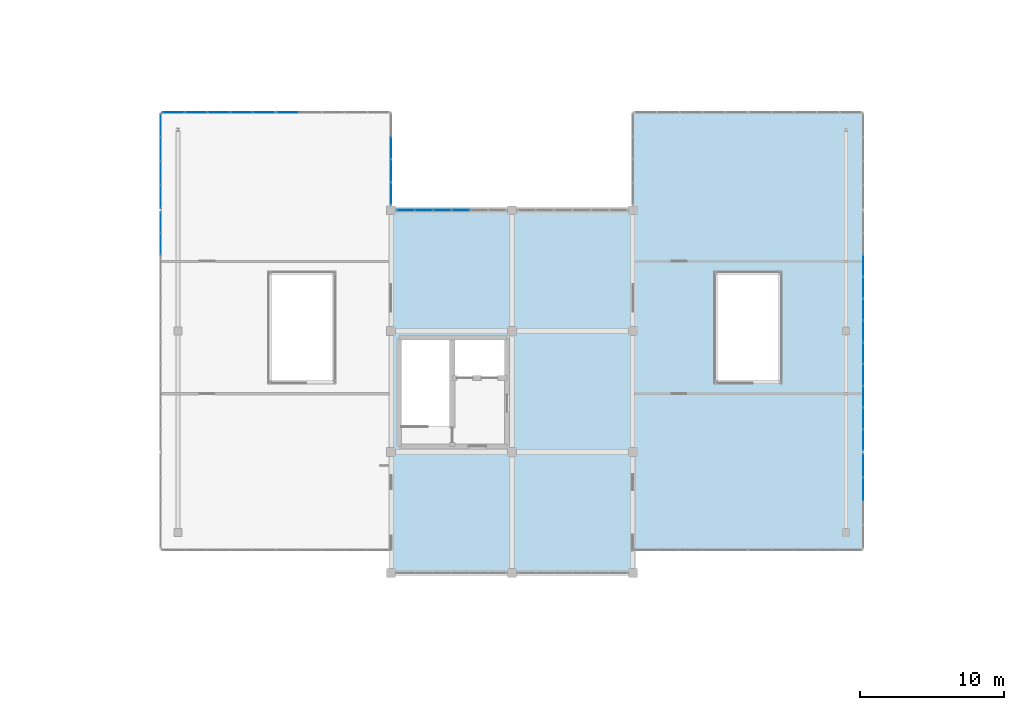
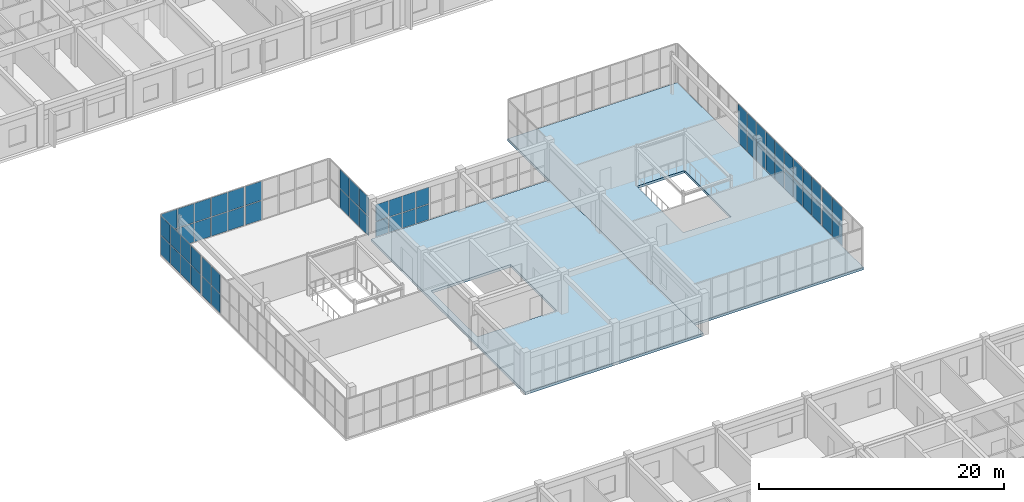
# One storey, part 54 of 81: 60 plates, 2 slabs, 8 elements without a shape of their own.
"""IFC4 building model written with IfcOpenShell, lengths in metres."""

from ifc_helpers import new_model, si_unit, direction, frame, origin, origin_2d, place, context, subcontext, project, spatial, polyline, rectangle, outline, extrude, material, layer, layer_set, type_object, element, aggregate, save


model = new_model("IFC4")

# Units and contexts
model_context = context("Model", 3, precision=1e-05, world=origin(), true_north=direction((0.0, 1.0)))
body_context = subcontext(model_context, "Body", "Model", "MODEL_VIEW")
ifc_project = project(units=[si_unit("LENGTHUNIT", "METRE"), si_unit("AREAUNIT", "SQUARE_METRE"), si_unit("VOLUMEUNIT", "CUBIC_METRE"), si_unit("PLANEANGLEUNIT", "RADIAN"), si_unit("MASSUNIT", "GRAM", prefix="KILO")], contexts=[model_context])

# Site, building, storey
site_placement = place(None, origin())
site = spatial("IfcSite", under=ifc_project, at=site_placement, CompositionType="ELEMENT")
building_placement = place(site_placement, origin())
building = spatial("IfcBuilding", under=site, at=building_placement, Name="Trelvath General Hospital", CompositionType="ELEMENT")
storey_placement = place(building_placement, frame((0.0, 0.0, 24.60009765625)))
storey = spatial("IfcBuildingStorey", under=building, at=storey_placement, Name="L06", CompositionType="ELEMENT", Elevation=24.60009765625)

# Curtain wall, plates
ifc_material_1 = material(Name="Anodised aluminium and low-E glass", Category="aluminium")
ifc_layer_1 = layer(ifc_material_1, 0.139892578125)
ifc_layer_set_1 = layer_set([ifc_layer_1], Name="Anodised aluminium and low-E glass")
curtain_wall_type_1 = type_object("IfcCurtainWallType", Name="CW CrystalCube 790 396 14", PredefinedType="USERDEFINED", material=ifc_layer_set_1)
curtain_wall_1_placement = place(storey_placement, origin())
curtain_wall_1 = element("IfcCurtainWall", 1, at=curtain_wall_1_placement, inside=storey, type_object=curtain_wall_type_1, Name="Crystal Cube Curtain Wall CUBE-W-T2 N1 L06", ObjectType="Unitised Glazed Curtain Wall", PredefinedType="USERDEFINED")
ifc_material_2 = material(Name="Low-E laminated glass", Category="glass")
ifc_layer_2 = layer(ifc_material_2, 0.028076171875)
ifc_layer_set_2 = layer_set([ifc_layer_2], Name="Low-E laminated glass")
plate_type_1 = type_object("IfcPlateType", Name="CurtainPanel Glass28", PredefinedType="CURTAIN_PANEL", material=ifc_layer_set_2)
plate_1_placement = place(storey_placement, frame((60.485107421875, 74.0, 0.06005859375), z_axis=(0.0, 0.0, 1.0), x_axis=(1.0, 0.0, 0.0)))
plate_1 = element("IfcPlate", 2, at=plate_1_placement, type_object=plate_type_1, Name="CW-326 panel 1.1", PredefinedType="CURTAIN_PANEL", context=body_context, shape_type="SweptSolid", body=[
    extrude(rectangle(XDim=1.489990234375, YDim=0.028076171875, at=origin_2d()), origin(), (0.0, 0.0, 1.0), 1.889892578125),
])
plate_2_placement = place(storey_placement, frame((60.485107421875, 74.0, 2.009765625), z_axis=(0.0, 0.0, 1.0), x_axis=(1.0, 0.0, 0.0)))
plate_2 = element("IfcPlate", 3, at=plate_2_placement, type_object=plate_type_1, Name="CW-326 panel 1.2", PredefinedType="CURTAIN_PANEL", context=body_context, shape_type="SweptSolid", body=[
    extrude(rectangle(XDim=1.489990234375, YDim=0.028076171875, at=origin_2d()), origin(), (0.0, 0.0, 1.0), 1.889892578125),
])
plate_3_placement = place(storey_placement, frame((62.050048828125, 74.0, 0.06005859375), z_axis=(0.0, 0.0, 1.0), x_axis=(1.0, 0.0, 0.0)))
plate_3 = element("IfcPlate", 4, at=plate_3_placement, type_object=plate_type_1, Name="CW-326 panel 2.1", PredefinedType="CURTAIN_PANEL", context=body_context, shape_type="SweptSolid", body=[
    extrude(rectangle(XDim=1.52001953125, YDim=0.028076171875, at=origin_2d()), origin(), (0.0, 0.0, 1.0), 1.889892578125),
])
plate_4_placement = place(storey_placement, frame((62.050048828125, 74.0, 2.009765625), z_axis=(0.0, 0.0, 1.0), x_axis=(1.0, 0.0, 0.0)))
plate_4 = element("IfcPlate", 5, at=plate_4_placement, type_object=plate_type_1, Name="CW-326 panel 2.2", PredefinedType="CURTAIN_PANEL", context=body_context, shape_type="SweptSolid", body=[
    extrude(rectangle(XDim=1.52001953125, YDim=0.028076171875, at=origin_2d()), origin(), (0.0, 0.0, 1.0), 1.889892578125),
])
plate_5_placement = place(storey_placement, frame((63.6298828125, 74.0, 0.06005859375), z_axis=(0.0, 0.0, 1.0), x_axis=(1.0, 0.0, 0.0)))
plate_5 = element("IfcPlate", 6, at=plate_5_placement, type_object=plate_type_1, Name="CW-326 panel 3.1", PredefinedType="CURTAIN_PANEL", context=body_context, shape_type="SweptSolid", body=[
    extrude(rectangle(XDim=1.52001953125, YDim=0.028076171875, at=origin_2d()), origin(), (0.0, 0.0, 1.0), 1.889892578125),
])
plate_6_placement = place(storey_placement, frame((63.6298828125, 74.0, 2.009765625), z_axis=(0.0, 0.0, 1.0), x_axis=(1.0, 0.0, 0.0)))
plate_6 = element("IfcPlate", 7, at=plate_6_placement, type_object=plate_type_1, Name="CW-326 panel 3.2", PredefinedType="CURTAIN_PANEL", context=body_context, shape_type="SweptSolid", body=[
    extrude(rectangle(XDim=1.52001953125, YDim=0.028076171875, at=origin_2d()), origin(), (0.0, 0.0, 1.0), 1.889892578125),
])
plate_7_placement = place(storey_placement, frame((65.2099609375, 74.0, 0.06005859375), z_axis=(0.0, 0.0, 1.0), x_axis=(1.0, 0.0, 0.0)))
plate_7 = element("IfcPlate", 8, at=plate_7_placement, type_object=plate_type_1, Name="CW-326 panel 4.1", PredefinedType="CURTAIN_PANEL", context=body_context, shape_type="SweptSolid", body=[
    extrude(rectangle(XDim=1.52001953125, YDim=0.028076171875, at=origin_2d()), origin(), (0.0, 0.0, 1.0), 1.889892578125),
])
plate_8_placement = place(storey_placement, frame((65.2099609375, 74.0, 2.009765625), z_axis=(0.0, 0.0, 1.0), x_axis=(1.0, 0.0, 0.0)))
plate_8 = element("IfcPlate", 9, at=plate_8_placement, type_object=plate_type_1, Name="CW-326 panel 4.2", PredefinedType="CURTAIN_PANEL", context=body_context, shape_type="SweptSolid", body=[
    extrude(rectangle(XDim=1.52001953125, YDim=0.028076171875, at=origin_2d()), origin(), (0.0, 0.0, 1.0), 1.889892578125),
])
plate_9_placement = place(storey_placement, frame((66.77490234375, 74.0, 0.06005859375), z_axis=(0.0, 0.0, 1.0), x_axis=(1.0, 0.0, 0.0)))
plate_9 = element("IfcPlate", 10, at=plate_9_placement, type_object=plate_type_1, Name="CW-326 panel 5.1", PredefinedType="CURTAIN_PANEL", context=body_context, shape_type="SweptSolid", body=[
    extrude(rectangle(XDim=1.489990234375, YDim=0.028076171875, at=origin_2d()), origin(), (0.0, 0.0, 1.0), 1.889892578125),
])
plate_10_placement = place(storey_placement, frame((66.77490234375, 74.0, 2.009765625), z_axis=(0.0, 0.0, 1.0), x_axis=(1.0, 0.0, 0.0)))
plate_10 = element("IfcPlate", 11, at=plate_10_placement, type_object=plate_type_1, Name="CW-326 panel 5.2", PredefinedType="CURTAIN_PANEL", context=body_context, shape_type="SweptSolid", body=[
    extrude(rectangle(XDim=1.489990234375, YDim=0.028076171875, at=origin_2d()), origin(), (0.0, 0.0, 1.0), 1.889892578125),
])
aggregate(curtain_wall_1, [plate_1, plate_2, plate_3, plate_4, plate_5, plate_6, plate_7, plate_8, plate_9, plate_10])

curtain_wall_2_placement = place(storey_placement, origin())
curtain_wall_2 = element("IfcCurtainWall", 12, at=curtain_wall_2_placement, inside=storey, type_object=curtain_wall_type_1, Name="Crystal Cube Curtain Wall CUBE-W-T2 N2 L06", ObjectType="Unitised Glazed Curtain Wall", PredefinedType="USERDEFINED")
plate_11_placement = place(storey_placement, frame((68.425048828125, 74.0, 0.06005859375), z_axis=(0.0, 0.0, 1.0), x_axis=(1.0, 0.0, 0.0)))
plate_11 = element("IfcPlate", 13, at=plate_11_placement, type_object=plate_type_1, Name="CW-327 panel 1.1", PredefinedType="CURTAIN_PANEL", context=body_context, shape_type="SweptSolid", body=[
    extrude(rectangle(XDim=1.489990234375, YDim=0.028076171875, at=origin_2d()), origin(), (0.0, 0.0, 1.0), 1.889892578125),
])
plate_12_placement = place(storey_placement, frame((68.425048828125, 74.0, 2.009765625), z_axis=(0.0, 0.0, 1.0), x_axis=(1.0, 0.0, 0.0)))
plate_12 = element("IfcPlate", 14, at=plate_12_placement, type_object=plate_type_1, Name="CW-327 panel 1.2", PredefinedType="CURTAIN_PANEL", context=body_context, shape_type="SweptSolid", body=[
    extrude(rectangle(XDim=1.489990234375, YDim=0.028076171875, at=origin_2d()), origin(), (0.0, 0.0, 1.0), 1.889892578125),
])
aggregate(curtain_wall_2, [plate_11, plate_12])

ifc_material_3 = material(Name="Anodised aluminium and low-E glass", Category="aluminium")
ifc_layer_3 = layer(ifc_material_3, 0.139892578125)
ifc_layer_set_3 = layer_set([ifc_layer_3], Name="Anodised aluminium and low-E glass")
curtain_wall_type_2 = type_object("IfcCurtainWallType", Name="CW CrystalCube 1664 396 14", PredefinedType="USERDEFINED", material=ifc_layer_set_3)
curtain_wall_3_placement = place(storey_placement, origin())
curtain_wall_3 = element("IfcCurtainWall", 15, at=curtain_wall_3_placement, inside=storey, type_object=curtain_wall_type_2, Name="Crystal Cube Curtain Wall CUBE-W-T2 W2 L06", ObjectType="Unitised Glazed Curtain Wall", PredefinedType="USERDEFINED")
plate_13_placement = place(storey_placement, frame((59.60009765625, 64.850830078125, 0.06005859375), z_axis=(0.0, 0.0, 1.0), x_axis=(0.0, 1.0, 0.0)))
plate_13 = element("IfcPlate", 16, at=plate_13_placement, type_object=plate_type_1, Name="CW-329 panel 10.1", PredefinedType="CURTAIN_PANEL", context=body_context, shape_type="SweptSolid", body=[
    extrude(rectangle(XDim=1.45263671875, YDim=0.028076171875, at=origin_2d()), origin(), (0.0, 0.0, 1.0), 1.889892578125),
])
plate_14_placement = place(storey_placement, frame((59.60009765625, 64.850830078125, 2.009765625), z_axis=(0.0, 0.0, 1.0), x_axis=(0.0, 1.0, 0.0)))
plate_14 = element("IfcPlate", 17, at=plate_14_placement, type_object=plate_type_1, Name="CW-329 panel 10.2", PredefinedType="CURTAIN_PANEL", context=body_context, shape_type="SweptSolid", body=[
    extrude(rectangle(XDim=1.45263671875, YDim=0.028076171875, at=origin_2d()), origin(), (0.0, 0.0, 1.0), 1.889892578125),
])
plate_15_placement = place(storey_placement, frame((59.60009765625, 66.3486328125, 0.06005859375), z_axis=(0.0, 0.0, 1.0), x_axis=(0.0, 1.0, 0.0)))
plate_15 = element("IfcPlate", 18, at=plate_15_placement, type_object=plate_type_1, Name="CW-329 panel 11.1", PredefinedType="CURTAIN_PANEL", context=body_context, shape_type="SweptSolid", body=[
    extrude(rectangle(XDim=1.422607421875, YDim=0.028076171875, at=origin_2d()), origin(), (0.0, 0.0, 1.0), 1.889892578125),
])
plate_16_placement = place(storey_placement, frame((59.60009765625, 66.3486328125, 2.009765625), z_axis=(0.0, 0.0, 1.0), x_axis=(0.0, 1.0, 0.0)))
plate_16 = element("IfcPlate", 19, at=plate_16_placement, type_object=plate_type_1, Name="CW-329 panel 11.2", PredefinedType="CURTAIN_PANEL", context=body_context, shape_type="SweptSolid", body=[
    extrude(rectangle(XDim=1.422607421875, YDim=0.028076171875, at=origin_2d()), origin(), (0.0, 0.0, 1.0), 1.889892578125),
])
aggregate(curtain_wall_3, [plate_13, plate_14, plate_15, plate_16])

ifc_material_4 = material(Name="Anodised aluminium and low-E glass", Category="aluminium")
ifc_layer_4 = layer(ifc_material_4, 0.139892578125)
ifc_layer_set_4 = layer_set([ifc_layer_4], Name="Anodised aluminium and low-E glass")
curtain_wall_type_3 = type_object("IfcCurtainWallType", Name="CW CrystalCube 664 396 14", PredefinedType="USERDEFINED", material=ifc_layer_set_4)
curtain_wall_4_placement = place(storey_placement, origin())
curtain_wall_4 = element("IfcCurtainWall", 20, at=curtain_wall_4_placement, inside=storey, type_object=curtain_wall_type_3, Name="Crystal Cube Curtain Wall CUBE-W-T2 W3 L06", ObjectType="Unitised Glazed Curtain Wall", PredefinedType="USERDEFINED")
plate_17_placement = place(storey_placement, frame((59.60009765625, 68.125, 0.06005859375), z_axis=(0.0, 0.0, 1.0), x_axis=(0.0, 1.0, 0.0)))
plate_17 = element("IfcPlate", 21, at=plate_17_placement, type_object=plate_type_1, Name="CW-330 panel 1.1", PredefinedType="CURTAIN_PANEL", context=body_context, shape_type="SweptSolid", body=[
    extrude(rectangle(XDim=1.570068359375, YDim=0.028076171875, at=origin_2d()), origin(), (0.0, 0.0, 1.0), 1.889892578125),
])
plate_18_placement = place(storey_placement, frame((59.60009765625, 68.125, 2.009765625), z_axis=(0.0, 0.0, 1.0), x_axis=(0.0, 1.0, 0.0)))
plate_18 = element("IfcPlate", 22, at=plate_18_placement, type_object=plate_type_1, Name="CW-330 panel 1.2", PredefinedType="CURTAIN_PANEL", context=body_context, shape_type="SweptSolid", body=[
    extrude(rectangle(XDim=1.570068359375, YDim=0.028076171875, at=origin_2d()), origin(), (0.0, 0.0, 1.0), 1.889892578125),
])
plate_19_placement = place(storey_placement, frame((59.60009765625, 69.77001953125, 0.06005859375), z_axis=(0.0, 0.0, 1.0), x_axis=(0.0, 1.0, 0.0)))
plate_19 = element("IfcPlate", 23, at=plate_19_placement, type_object=plate_type_1, Name="CW-330 panel 2.1", PredefinedType="CURTAIN_PANEL", context=body_context, shape_type="SweptSolid", body=[
    extrude(rectangle(XDim=1.60009765625, YDim=0.028076171875, at=origin_2d()), origin(), (0.0, 0.0, 1.0), 1.889892578125),
])
plate_20_placement = place(storey_placement, frame((59.60009765625, 69.77001953125, 2.009765625), z_axis=(0.0, 0.0, 1.0), x_axis=(0.0, 1.0, 0.0)))
plate_20 = element("IfcPlate", 24, at=plate_20_placement, type_object=plate_type_1, Name="CW-330 panel 2.2", PredefinedType="CURTAIN_PANEL", context=body_context, shape_type="SweptSolid", body=[
    extrude(rectangle(XDim=1.60009765625, YDim=0.028076171875, at=origin_2d()), origin(), (0.0, 0.0, 1.0), 1.889892578125),
])
plate_21_placement = place(storey_placement, frame((59.60009765625, 71.429931640625, 0.06005859375), z_axis=(0.0, 0.0, 1.0), x_axis=(0.0, 1.0, 0.0)))
plate_21 = element("IfcPlate", 25, at=plate_21_placement, type_object=plate_type_1, Name="CW-330 panel 3.1", PredefinedType="CURTAIN_PANEL", context=body_context, shape_type="SweptSolid", body=[
    extrude(rectangle(XDim=1.60009765625, YDim=0.028076171875, at=origin_2d()), origin(), (0.0, 0.0, 1.0), 1.889892578125),
])
plate_22_placement = place(storey_placement, frame((59.60009765625, 71.429931640625, 2.009765625), z_axis=(0.0, 0.0, 1.0), x_axis=(0.0, 1.0, 0.0)))
plate_22 = element("IfcPlate", 26, at=plate_22_placement, type_object=plate_type_1, Name="CW-330 panel 3.2", PredefinedType="CURTAIN_PANEL", context=body_context, shape_type="SweptSolid", body=[
    extrude(rectangle(XDim=1.60009765625, YDim=0.028076171875, at=origin_2d()), origin(), (0.0, 0.0, 1.0), 1.889892578125),
])
plate_23_placement = place(storey_placement, frame((59.60009765625, 73.074951171875, 0.06005859375), z_axis=(0.0, 0.0, 1.0), x_axis=(0.0, 1.0, 0.0)))
plate_23 = element("IfcPlate", 27, at=plate_23_placement, type_object=plate_type_1, Name="CW-330 panel 4.1", PredefinedType="CURTAIN_PANEL", context=body_context, shape_type="SweptSolid", body=[
    extrude(rectangle(XDim=1.570068359375, YDim=0.028076171875, at=origin_2d()), origin(), (0.0, 0.0, 1.0), 1.889892578125),
])
plate_24_placement = place(storey_placement, frame((59.60009765625, 73.074951171875, 2.009765625), z_axis=(0.0, 0.0, 1.0), x_axis=(0.0, 1.0, 0.0)))
plate_24 = element("IfcPlate", 28, at=plate_24_placement, type_object=plate_type_1, Name="CW-330 panel 4.2", PredefinedType="CURTAIN_PANEL", context=body_context, shape_type="SweptSolid", body=[
    extrude(rectangle(XDim=1.570068359375, YDim=0.028076171875, at=origin_2d()), origin(), (0.0, 0.0, 1.0), 1.889892578125),
])
aggregate(curtain_wall_4, [plate_17, plate_18, plate_19, plate_20, plate_21, plate_22, plate_23, plate_24])

ifc_material_5 = material(Name="Anodised aluminium and low-E glass", Category="aluminium")
ifc_layer_5 = layer(ifc_material_5, 0.139892578125)
ifc_layer_set_5 = layer_set([ifc_layer_5], Name="Anodised aluminium and low-E glass")
curtain_wall_type_4 = type_object("IfcCurtainWallType", Name="CW CrystalCube 638 396 14", PredefinedType="USERDEFINED", material=ifc_layer_set_5)
curtain_wall_5_placement = place(storey_placement, origin())
curtain_wall_5 = element("IfcCurtainWall", 29, at=curtain_wall_5_placement, inside=storey, type_object=curtain_wall_type_4, Name="Crystal Cube Curtain Wall CUBE-W-T2 E3 L06", ObjectType="Unitised Glazed Curtain Wall", PredefinedType="USERDEFINED")
plate_25_placement = place(storey_placement, frame((75.60009765625, 71.527587890625, 0.06005859375), z_axis=(0.0, 0.0, 1.0), x_axis=(0.0, -1.0, 0.0)))
plate_25 = element("IfcPlate", 30, at=plate_25_placement, type_object=plate_type_1, Name="CW-331 panel 2.1", PredefinedType="CURTAIN_PANEL", context=body_context, shape_type="SweptSolid", body=[
    extrude(rectangle(XDim=1.534912109375, YDim=0.028076171875, at=origin_2d()), origin(), (0.0, 0.0, 1.0), 1.889892578125),
])
plate_26_placement = place(storey_placement, frame((75.60009765625, 71.527587890625, 2.009765625), z_axis=(0.0, 0.0, 1.0), x_axis=(0.0, -1.0, 0.0)))
plate_26 = element("IfcPlate", 31, at=plate_26_placement, type_object=plate_type_1, Name="CW-331 panel 2.2", PredefinedType="CURTAIN_PANEL", context=body_context, shape_type="SweptSolid", body=[
    extrude(rectangle(XDim=1.534912109375, YDim=0.028076171875, at=origin_2d()), origin(), (0.0, 0.0, 1.0), 1.889892578125),
])
plate_27_placement = place(storey_placement, frame((75.60009765625, 69.9326171875, 0.06005859375), z_axis=(0.0, 0.0, 1.0), x_axis=(0.0, -1.0, 0.0)))
plate_27 = element("IfcPlate", 32, at=plate_27_placement, type_object=plate_type_1, Name="CW-331 panel 3.1", PredefinedType="CURTAIN_PANEL", context=body_context, shape_type="SweptSolid", body=[
    extrude(rectangle(XDim=1.534912109375, YDim=0.028076171875, at=origin_2d()), origin(), (0.0, 0.0, 1.0), 1.889892578125),
])
plate_28_placement = place(storey_placement, frame((75.60009765625, 69.9326171875, 2.009765625), z_axis=(0.0, 0.0, 1.0), x_axis=(0.0, -1.0, 0.0)))
plate_28 = element("IfcPlate", 33, at=plate_28_placement, type_object=plate_type_1, Name="CW-331 panel 3.2", PredefinedType="CURTAIN_PANEL", context=body_context, shape_type="SweptSolid", body=[
    extrude(rectangle(XDim=1.534912109375, YDim=0.028076171875, at=origin_2d()), origin(), (0.0, 0.0, 1.0), 1.889892578125),
])
plate_29_placement = place(storey_placement, frame((75.60009765625, 68.3525390625, 0.06005859375), z_axis=(0.0, 0.0, 1.0), x_axis=(0.0, -1.0, 0.0)))
plate_29 = element("IfcPlate", 34, at=plate_29_placement, type_object=plate_type_1, Name="CW-331 panel 4.1", PredefinedType="CURTAIN_PANEL", context=body_context, shape_type="SweptSolid", body=[
    extrude(rectangle(XDim=1.5048828125, YDim=0.028076171875, at=origin_2d()), origin(), (0.0, 0.0, 1.0), 1.889892578125),
])
plate_30_placement = place(storey_placement, frame((75.60009765625, 68.3525390625, 2.009765625), z_axis=(0.0, 0.0, 1.0), x_axis=(0.0, -1.0, 0.0)))
plate_30 = element("IfcPlate", 35, at=plate_30_placement, type_object=plate_type_1, Name="CW-331 panel 4.2", PredefinedType="CURTAIN_PANEL", context=body_context, shape_type="SweptSolid", body=[
    extrude(rectangle(XDim=1.5048828125, YDim=0.028076171875, at=origin_2d()), origin(), (0.0, 0.0, 1.0), 1.889892578125),
])
aggregate(curtain_wall_5, [plate_25, plate_26, plate_27, plate_28, plate_29, plate_30])

curtain_wall_6_placement = place(storey_placement, origin())
curtain_wall_6 = element("IfcCurtainWall", 36, at=curtain_wall_6_placement, inside=storey, type_object=curtain_wall_type_3, Name="Crystal Cube Curtain Wall CUBE-E-T2 E1 L06", ObjectType="Unitised Glazed Curtain Wall", PredefinedType="USERDEFINED")
plate_31_placement = place(storey_placement, frame((108.39990234375, 49.47509765625, 0.06005859375), z_axis=(0.0, 0.0, 1.0), x_axis=(0.0, -1.0, 0.0)))
plate_31 = element("IfcPlate", 37, at=plate_31_placement, type_object=plate_type_1, Name="CW-336 panel 1.1", PredefinedType="CURTAIN_PANEL", context=body_context, shape_type="SweptSolid", body=[
    extrude(rectangle(XDim=1.570068359375, YDim=0.028076171875, at=origin_2d()), origin(), (0.0, 0.0, 1.0), 1.889892578125),
])
plate_32_placement = place(storey_placement, frame((108.39990234375, 49.47509765625, 2.009765625), z_axis=(0.0, 0.0, 1.0), x_axis=(0.0, -1.0, 0.0)))
plate_32 = element("IfcPlate", 38, at=plate_32_placement, type_object=plate_type_1, Name="CW-336 panel 1.2", PredefinedType="CURTAIN_PANEL", context=body_context, shape_type="SweptSolid", body=[
    extrude(rectangle(XDim=1.570068359375, YDim=0.028076171875, at=origin_2d()), origin(), (0.0, 0.0, 1.0), 1.889892578125),
])
plate_33_placement = place(storey_placement, frame((108.39990234375, 47.830078125, 0.06005859375), z_axis=(0.0, 0.0, 1.0), x_axis=(0.0, -1.0, 0.0)))
plate_33 = element("IfcPlate", 39, at=plate_33_placement, type_object=plate_type_1, Name="CW-336 panel 2.1", PredefinedType="CURTAIN_PANEL", context=body_context, shape_type="SweptSolid", body=[
    extrude(rectangle(XDim=1.60009765625, YDim=0.028076171875, at=origin_2d()), origin(), (0.0, 0.0, 1.0), 1.889892578125),
])
plate_34_placement = place(storey_placement, frame((108.39990234375, 47.830078125, 2.009765625), z_axis=(0.0, 0.0, 1.0), x_axis=(0.0, -1.0, 0.0)))
plate_34 = element("IfcPlate", 40, at=plate_34_placement, type_object=plate_type_1, Name="CW-336 panel 2.2", PredefinedType="CURTAIN_PANEL", context=body_context, shape_type="SweptSolid", body=[
    extrude(rectangle(XDim=1.60009765625, YDim=0.028076171875, at=origin_2d()), origin(), (0.0, 0.0, 1.0), 1.889892578125),
])
aggregate(curtain_wall_6, [plate_31, plate_32, plate_33, plate_34])

curtain_wall_7_placement = place(storey_placement, origin())
curtain_wall_7 = element("IfcCurtainWall", 41, at=curtain_wall_7_placement, inside=storey, type_object=curtain_wall_type_2, Name="Crystal Cube Curtain Wall CUBE-E-T2 E2 L06", ObjectType="Unitised Glazed Curtain Wall", PredefinedType="USERDEFINED")
plate_35_placement = place(storey_placement, frame((108.39990234375, 63.338134765625, 0.06005859375), z_axis=(0.0, 0.0, 1.0), x_axis=(0.0, -1.0, 0.0)))
plate_35 = element("IfcPlate", 42, at=plate_35_placement, type_object=plate_type_1, Name="CW-337 panel 3.1", PredefinedType="CURTAIN_PANEL", context=body_context, shape_type="SweptSolid", body=[
    extrude(rectangle(XDim=1.45263671875, YDim=0.028076171875, at=origin_2d()), origin(), (0.0, 0.0, 1.0), 1.889892578125),
])
plate_36_placement = place(storey_placement, frame((108.39990234375, 63.338134765625, 2.009765625), z_axis=(0.0, 0.0, 1.0), x_axis=(0.0, -1.0, 0.0)))
plate_36 = element("IfcPlate", 43, at=plate_36_placement, type_object=plate_type_1, Name="CW-337 panel 3.2", PredefinedType="CURTAIN_PANEL", context=body_context, shape_type="SweptSolid", body=[
    extrude(rectangle(XDim=1.45263671875, YDim=0.028076171875, at=origin_2d()), origin(), (0.0, 0.0, 1.0), 1.889892578125),
])
plate_37_placement = place(storey_placement, frame((108.39990234375, 61.825439453125, 0.06005859375), z_axis=(0.0, 0.0, 1.0), x_axis=(0.0, -1.0, 0.0)))
plate_37 = element("IfcPlate", 44, at=plate_37_placement, type_object=plate_type_1, Name="CW-337 panel 4.1", PredefinedType="CURTAIN_PANEL", context=body_context, shape_type="SweptSolid", body=[
    extrude(rectangle(XDim=1.45263671875, YDim=0.028076171875, at=origin_2d()), origin(), (0.0, 0.0, 1.0), 1.889892578125),
])
plate_38_placement = place(storey_placement, frame((108.39990234375, 61.825439453125, 2.009765625), z_axis=(0.0, 0.0, 1.0), x_axis=(0.0, -1.0, 0.0)))
plate_38 = element("IfcPlate", 45, at=plate_38_placement, type_object=plate_type_1, Name="CW-337 panel 4.2", PredefinedType="CURTAIN_PANEL", context=body_context, shape_type="SweptSolid", body=[
    extrude(rectangle(XDim=1.45263671875, YDim=0.028076171875, at=origin_2d()), origin(), (0.0, 0.0, 1.0), 1.889892578125),
])
plate_39_placement = place(storey_placement, frame((108.39990234375, 60.312744140625, 0.06005859375), z_axis=(0.0, 0.0, 1.0), x_axis=(0.0, -1.0, 0.0)))
plate_39 = element("IfcPlate", 46, at=plate_39_placement, type_object=plate_type_1, Name="CW-337 panel 5.1", PredefinedType="CURTAIN_PANEL", context=body_context, shape_type="SweptSolid", body=[
    extrude(rectangle(XDim=1.45263671875, YDim=0.028076171875, at=origin_2d()), origin(), (0.0, 0.0, 1.0), 1.889892578125),
])
plate_40_placement = place(storey_placement, frame((108.39990234375, 60.312744140625, 2.009765625), z_axis=(0.0, 0.0, 1.0), x_axis=(0.0, -1.0, 0.0)))
plate_40 = element("IfcPlate", 47, at=plate_40_placement, type_object=plate_type_1, Name="CW-337 panel 5.2", PredefinedType="CURTAIN_PANEL", context=body_context, shape_type="SweptSolid", body=[
    extrude(rectangle(XDim=1.45263671875, YDim=0.028076171875, at=origin_2d()), origin(), (0.0, 0.0, 1.0), 1.889892578125),
])
plate_41_placement = place(storey_placement, frame((108.39990234375, 58.800048828125, 0.06005859375), z_axis=(0.0, 0.0, 1.0), x_axis=(0.0, -1.0, 0.0)))
plate_41 = element("IfcPlate", 48, at=plate_41_placement, type_object=plate_type_1, Name="CW-337 panel 6.1", PredefinedType="CURTAIN_PANEL", context=body_context, shape_type="SweptSolid", body=[
    extrude(rectangle(XDim=1.45263671875, YDim=0.028076171875, at=origin_2d()), origin(), (0.0, 0.0, 1.0), 1.889892578125),
])
plate_42_placement = place(storey_placement, frame((108.39990234375, 58.800048828125, 2.009765625), z_axis=(0.0, 0.0, 1.0), x_axis=(0.0, -1.0, 0.0)))
plate_42 = element("IfcPlate", 49, at=plate_42_placement, type_object=plate_type_1, Name="CW-337 panel 6.2", PredefinedType="CURTAIN_PANEL", context=body_context, shape_type="SweptSolid", body=[
    extrude(rectangle(XDim=1.45263671875, YDim=0.028076171875, at=origin_2d()), origin(), (0.0, 0.0, 1.0), 1.889892578125),
])
plate_43_placement = place(storey_placement, frame((108.39990234375, 57.287353515625, 0.06005859375), z_axis=(0.0, 0.0, 1.0), x_axis=(0.0, -1.0, 0.0)))
plate_43 = element("IfcPlate", 50, at=plate_43_placement, type_object=plate_type_1, Name="CW-337 panel 7.1", PredefinedType="CURTAIN_PANEL", context=body_context, shape_type="SweptSolid", body=[
    extrude(rectangle(XDim=1.45263671875, YDim=0.028076171875, at=origin_2d()), origin(), (0.0, 0.0, 1.0), 1.889892578125),
])
plate_44_placement = place(storey_placement, frame((108.39990234375, 57.287353515625, 2.009765625), z_axis=(0.0, 0.0, 1.0), x_axis=(0.0, -1.0, 0.0)))
plate_44 = element("IfcPlate", 51, at=plate_44_placement, type_object=plate_type_1, Name="CW-337 panel 7.2", PredefinedType="CURTAIN_PANEL", context=body_context, shape_type="SweptSolid", body=[
    extrude(rectangle(XDim=1.45263671875, YDim=0.028076171875, at=origin_2d()), origin(), (0.0, 0.0, 1.0), 1.889892578125),
])
plate_45_placement = place(storey_placement, frame((108.39990234375, 55.774658203125, 0.06005859375), z_axis=(0.0, 0.0, 1.0), x_axis=(0.0, -1.0, 0.0)))
plate_45 = element("IfcPlate", 52, at=plate_45_placement, type_object=plate_type_1, Name="CW-337 panel 8.1", PredefinedType="CURTAIN_PANEL", context=body_context, shape_type="SweptSolid", body=[
    extrude(rectangle(XDim=1.45263671875, YDim=0.028076171875, at=origin_2d()), origin(), (0.0, 0.0, 1.0), 1.889892578125),
])
plate_46_placement = place(storey_placement, frame((108.39990234375, 55.774658203125, 2.009765625), z_axis=(0.0, 0.0, 1.0), x_axis=(0.0, -1.0, 0.0)))
plate_46 = element("IfcPlate", 53, at=plate_46_placement, type_object=plate_type_1, Name="CW-337 panel 8.2", PredefinedType="CURTAIN_PANEL", context=body_context, shape_type="SweptSolid", body=[
    extrude(rectangle(XDim=1.45263671875, YDim=0.028076171875, at=origin_2d()), origin(), (0.0, 0.0, 1.0), 1.889892578125),
])
plate_47_placement = place(storey_placement, frame((108.39990234375, 54.26171875, 0.06005859375), z_axis=(0.0, 0.0, 1.0), x_axis=(0.0, -1.0, 0.0)))
plate_47 = element("IfcPlate", 54, at=plate_47_placement, type_object=plate_type_1, Name="CW-337 panel 9.1", PredefinedType="CURTAIN_PANEL", context=body_context, shape_type="SweptSolid", body=[
    extrude(rectangle(XDim=1.45263671875, YDim=0.028076171875, at=origin_2d()), origin(), (0.0, 0.0, 1.0), 1.889892578125),
])
plate_48_placement = place(storey_placement, frame((108.39990234375, 54.26171875, 2.009765625), z_axis=(0.0, 0.0, 1.0), x_axis=(0.0, -1.0, 0.0)))
plate_48 = element("IfcPlate", 55, at=plate_48_placement, type_object=plate_type_1, Name="CW-337 panel 9.2", PredefinedType="CURTAIN_PANEL", context=body_context, shape_type="SweptSolid", body=[
    extrude(rectangle(XDim=1.45263671875, YDim=0.028076171875, at=origin_2d()), origin(), (0.0, 0.0, 1.0), 1.889892578125),
])
plate_49_placement = place(storey_placement, frame((108.39990234375, 52.7490234375, 0.06005859375), z_axis=(0.0, 0.0, 1.0), x_axis=(0.0, -1.0, 0.0)))
plate_49 = element("IfcPlate", 56, at=plate_49_placement, type_object=plate_type_1, Name="CW-337 panel 10.1", PredefinedType="CURTAIN_PANEL", context=body_context, shape_type="SweptSolid", body=[
    extrude(rectangle(XDim=1.45263671875, YDim=0.028076171875, at=origin_2d()), origin(), (0.0, 0.0, 1.0), 1.889892578125),
])
plate_50_placement = place(storey_placement, frame((108.39990234375, 52.7490234375, 2.009765625), z_axis=(0.0, 0.0, 1.0), x_axis=(0.0, -1.0, 0.0)))
plate_50 = element("IfcPlate", 57, at=plate_50_placement, type_object=plate_type_1, Name="CW-337 panel 10.2", PredefinedType="CURTAIN_PANEL", context=body_context, shape_type="SweptSolid", body=[
    extrude(rectangle(XDim=1.45263671875, YDim=0.028076171875, at=origin_2d()), origin(), (0.0, 0.0, 1.0), 1.889892578125),
])
plate_51_placement = place(storey_placement, frame((108.39990234375, 51.25146484375, 0.06005859375), z_axis=(0.0, 0.0, 1.0), x_axis=(0.0, -1.0, 0.0)))
plate_51 = element("IfcPlate", 58, at=plate_51_placement, type_object=plate_type_1, Name="CW-337 panel 11.1", PredefinedType="CURTAIN_PANEL", context=body_context, shape_type="SweptSolid", body=[
    extrude(rectangle(XDim=1.422607421875, YDim=0.028076171875, at=origin_2d()), origin(), (0.0, 0.0, 1.0), 1.889892578125),
])
plate_52_placement = place(storey_placement, frame((108.39990234375, 51.25146484375, 2.009765625), z_axis=(0.0, 0.0, 1.0), x_axis=(0.0, -1.0, 0.0)))
plate_52 = element("IfcPlate", 59, at=plate_52_placement, type_object=plate_type_1, Name="CW-337 panel 11.2", PredefinedType="CURTAIN_PANEL", context=body_context, shape_type="SweptSolid", body=[
    extrude(rectangle(XDim=1.422607421875, YDim=0.028076171875, at=origin_2d()), origin(), (0.0, 0.0, 1.0), 1.889892578125),
])
aggregate(curtain_wall_7, [plate_35, plate_36, plate_37, plate_38, plate_39, plate_40, plate_41, plate_42, plate_43, plate_44, plate_45, plate_46, plate_47, plate_48, plate_49, plate_50, plate_51, plate_52])

ifc_material_6 = material(Name="Anodised aluminium and low-E glass", Category="aluminium")
ifc_layer_6 = layer(ifc_material_6, 0.14990234375)
ifc_layer_set_6 = layer_set([ifc_layer_6], Name="Anodised aluminium and low-E glass")
curtain_wall_type_5 = type_object("IfcCurtainWallType", Name="CW Facade 767 334 15", PredefinedType="USERDEFINED", material=ifc_layer_set_6)
curtain_wall_8_placement = place(storey_placement, origin())
curtain_wall_8 = element("IfcCurtainWall", 60, at=curtain_wall_8_placement, inside=storey, type_object=curtain_wall_type_5, Name="Facade Curtain Wall CW-079", ObjectType="Unitised Glazed Curtain Wall", PredefinedType="USERDEFINED")
ifc_material_7 = material(Name="Low-E laminated glass", Category="glass")
ifc_layer_7 = layer(ifc_material_7, 0.035888671875)
ifc_layer_set_7 = layer_set([ifc_layer_7], Name="Low-E laminated glass")
plate_type_2 = type_object("IfcPlateType", Name="CurtainPanel Glass36", PredefinedType="CURTAIN_PANEL", material=ifc_layer_set_7)
plate_53_placement = place(storey_placement, frame((76.619140625, 67.199951171875, 0.06005859375), z_axis=(0.0, 0.0, 1.0), x_axis=(1.0, 0.0, 0.0)))
plate_53 = element("IfcPlate", 61, at=plate_53_placement, type_object=plate_type_2, Name="CW-079 panel 1.1", PredefinedType="CURTAIN_PANEL", context=body_context, shape_type="SweptSolid", body=[
    extrude(rectangle(XDim=1.188232421875, YDim=0.035888671875, at=origin_2d()), origin(), (0.0, 0.0, 1.0), 1.512939453125),
])
plate_54_placement = place(storey_placement, frame((76.619140625, 67.199951171875, 1.6328125), z_axis=(0.0, 0.0, 1.0), x_axis=(1.0, 0.0, 0.0)))
plate_54 = element("IfcPlate", 62, at=plate_54_placement, type_object=plate_type_2, Name="CW-079 panel 1.2", PredefinedType="CURTAIN_PANEL", context=body_context, shape_type="SweptSolid", body=[
    extrude(rectangle(XDim=1.188232421875, YDim=0.035888671875, at=origin_2d()), origin(), (0.0, 0.0, 1.0), 1.64697265625),
])
plate_55_placement = place(storey_placement, frame((77.882568359375, 67.199951171875, 0.06005859375), z_axis=(0.0, 0.0, 1.0), x_axis=(1.0, 0.0, 0.0)))
plate_55 = element("IfcPlate", 63, at=plate_55_placement, type_object=plate_type_2, Name="CW-079 panel 2.1", PredefinedType="CURTAIN_PANEL", context=body_context, shape_type="SweptSolid", body=[
    extrude(rectangle(XDim=1.21826171875, YDim=0.035888671875, at=origin_2d()), origin(), (0.0, 0.0, 1.0), 1.512939453125),
])
plate_56_placement = place(storey_placement, frame((77.882568359375, 67.199951171875, 1.6328125), z_axis=(0.0, 0.0, 1.0), x_axis=(1.0, 0.0, 0.0)))
plate_56 = element("IfcPlate", 64, at=plate_56_placement, type_object=plate_type_2, Name="CW-079 panel 2.2", PredefinedType="CURTAIN_PANEL", context=body_context, shape_type="SweptSolid", body=[
    extrude(rectangle(XDim=1.21826171875, YDim=0.035888671875, at=origin_2d()), origin(), (0.0, 0.0, 1.0), 1.64697265625),
])
plate_57_placement = place(storey_placement, frame((79.160888671875, 67.199951171875, 0.06005859375), z_axis=(0.0, 0.0, 1.0), x_axis=(1.0, 0.0, 0.0)))
plate_57 = element("IfcPlate", 65, at=plate_57_placement, type_object=plate_type_2, Name="CW-079 panel 3.1", PredefinedType="CURTAIN_PANEL", context=body_context, shape_type="SweptSolid", body=[
    extrude(rectangle(XDim=1.21826171875, YDim=0.035888671875, at=origin_2d()), origin(), (0.0, 0.0, 1.0), 1.512939453125),
])
plate_58_placement = place(storey_placement, frame((79.160888671875, 67.199951171875, 1.6328125), z_axis=(0.0, 0.0, 1.0), x_axis=(1.0, 0.0, 0.0)))
plate_58 = element("IfcPlate", 66, at=plate_58_placement, type_object=plate_type_2, Name="CW-079 panel 3.2", PredefinedType="CURTAIN_PANEL", context=body_context, shape_type="SweptSolid", body=[
    extrude(rectangle(XDim=1.21826171875, YDim=0.035888671875, at=origin_2d()), origin(), (0.0, 0.0, 1.0), 1.64697265625),
])
plate_59_placement = place(storey_placement, frame((80.439208984375, 67.199951171875, 0.06005859375), z_axis=(0.0, 0.0, 1.0), x_axis=(1.0, 0.0, 0.0)))
plate_59 = element("IfcPlate", 67, at=plate_59_placement, type_object=plate_type_2, Name="CW-079 panel 4.1", PredefinedType="CURTAIN_PANEL", context=body_context, shape_type="SweptSolid", body=[
    extrude(rectangle(XDim=1.21826171875, YDim=0.035888671875, at=origin_2d()), origin(), (0.0, 0.0, 1.0), 1.512939453125),
])
plate_60_placement = place(storey_placement, frame((80.439208984375, 67.199951171875, 1.6328125), z_axis=(0.0, 0.0, 1.0), x_axis=(1.0, 0.0, 0.0)))
plate_60 = element("IfcPlate", 68, at=plate_60_placement, type_object=plate_type_2, Name="CW-079 panel 4.2", PredefinedType="CURTAIN_PANEL", context=body_context, shape_type="SweptSolid", body=[
    extrude(rectangle(XDim=1.21826171875, YDim=0.035888671875, at=origin_2d()), origin(), (0.0, 0.0, 1.0), 1.64697265625),
])
aggregate(curtain_wall_8, [plate_53, plate_54, plate_55, plate_56, plate_57, plate_58, plate_59, plate_60])

# Slabs
ifc_material_8 = material(Name="Concrete C35/45", Category="concrete")
ifc_layer_8 = layer(ifc_material_8, 0.239990234375)
ifc_layer_set_8 = layer_set([ifc_layer_8], Name="Concrete C35/45")
slab_type_1 = type_object("IfcSlabType", Name="FlatSlab Cube240", PredefinedType="FLOOR", material=ifc_layer_set_8)
slab_1_placement = place(storey_placement, frame((0.0, 0.0, -0.239990234375)))
element("IfcSlab", 69, at=slab_1_placement, inside=storey, type_object=slab_type_1, Name="Crystal Cube Slab CUBE-E-T2 L06", PredefinedType="FLOOR", context=body_context, shape_type="SweptSolid", body=[
    extrude(outline(polyline([(92.39990234375, 43.60009765625), (108.39990234375, 43.60009765625), (108.39990234375, 74.0), (92.39990234375, 74.0), (92.39990234375, 43.60009765625)]), holes=[polyline([(98.14990234375, 55.25), (102.64990234375, 55.25), (102.64990234375, 62.85009765625), (98.14990234375, 62.85009765625), (98.14990234375, 55.25)])]), origin(), (0.0, 0.0, 1.0), 0.239990234375),
])
ifc_material_9 = material(Name="Concrete C35/45", Category="concrete")
ifc_layer_9 = layer(ifc_material_9, 0.260009765625)
ifc_layer_set_9 = layer_set([ifc_layer_9], Name="Concrete C35/45")
slab_type_2 = type_object("IfcSlabType", Name="FlatSlab Ward260", PredefinedType="FLOOR", material=ifc_layer_set_9)
slab_2_placement = place(storey_placement, frame((0.0, 0.0, -0.260009765625)))
element("IfcSlab", 70, at=slab_2_placement, inside=storey, type_object=slab_type_2, Name="Floor Slab SL-L06-V7-C1", PredefinedType="FLOOR", context=body_context, shape_type="SweptSolid", body=[
    extrude(outline(polyline([(75.60009765625, 42.0), (75.60009765625, 67.199951171875), (92.39990234375, 67.199951171875), (92.39990234375, 42.0), (75.60009765625, 42.0)]), holes=[polyline([(76.14990234375, 50.800048828125), (83.64990234375, 50.800048828125), (83.64990234375, 58.35009765625), (76.14990234375, 58.35009765625), (76.14990234375, 50.800048828125)])]), origin(), (0.0, 0.0, 1.0), 0.260009765625),
])

save(model, "model.ifc")
